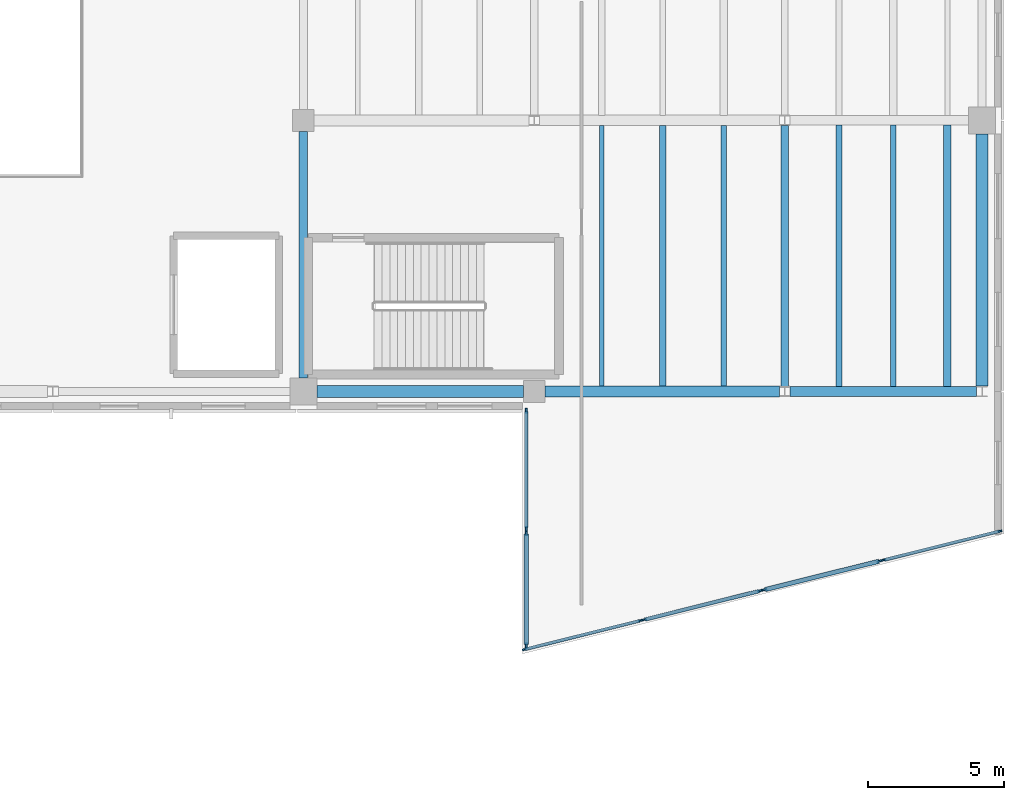
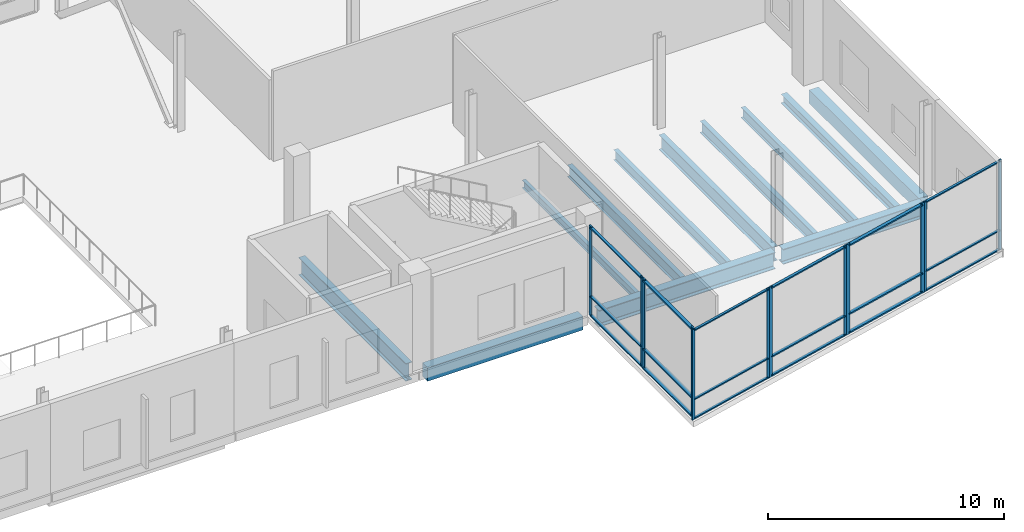
# One storey, part 42 of 81: 30 members, 12 beams, 6 elements without a shape of their own.
"""IFC4 building model written with IfcOpenShell, lengths in metres."""

from ifc_helpers import new_model, si_unit, direction, frame, origin, origin_2d, place, context, subcontext, project, spatial, rectangle, i_section, extrude, material, material_profile, profile_set, type_object, element, aggregate, save


model = new_model("IFC4")

# Units and contexts
model_context = context("Model", 3, precision=1e-05, world=origin(), true_north=direction((0.0, 1.0)))
body_context = subcontext(model_context, "Body", "Model", "MODEL_VIEW")
ifc_project = project(units=[si_unit("LENGTHUNIT", "METRE"), si_unit("AREAUNIT", "SQUARE_METRE"), si_unit("VOLUMEUNIT", "CUBIC_METRE"), si_unit("PLANEANGLEUNIT", "RADIAN"), si_unit("MASSUNIT", "GRAM", prefix="KILO")], contexts=[model_context])

# Site, building, storey
site_placement = place(None, origin())
site = spatial("IfcSite", under=ifc_project, at=site_placement, CompositionType="ELEMENT")
building_placement = place(site_placement, origin())
building = spatial("IfcBuilding", under=site, at=building_placement, Name="Trimount Lyric Opera House", CompositionType="ELEMENT")
storey_placement = place(building_placement, frame((0.0, 0.0, 5.0)))
storey = spatial("IfcBuildingStorey", under=building, at=storey_placement, Name="L01", CompositionType="ELEMENT", Elevation=5.0)

# Beams
ifc_material_1 = material(Name="Steel ASTM A992 Grade 50", Category="steel")
ifc_material_profile_1 = material_profile(ifc_material_1, i_section(OverallWidth=0.304931640625, OverallDepth=0.9189453125, WebThickness=0.017333984375, FlangeThickness=0.02783203125, FilletRadius=0.02001953125, at=origin_2d()), Name="W36X170")
ifc_profile_set_1 = profile_set([ifc_material_profile_1], Name="Steel ASTM A992 Grade 50")
beam_type_1 = type_object("IfcBeamType", Name="B-03", PredefinedType="BEAM", material=ifc_profile_set_1)
beam_1_placement = place(storey_placement, frame((148.239990234375, 44.5, -0.739501953125), z_axis=(0.0, 1.0, 0.0), x_axis=(-1.0, 0.0, 0.0)))
element("IfcBeam", 1, at=beam_1_placement, inside=storey, type_object=beam_type_1, Name="L01 girder Y-0683", PredefinedType="BEAM", context=body_context, shape_type="SweptSolid", body=[
    extrude(i_section(OverallWidth=0.304931640625, OverallDepth=0.9189453125, WebThickness=0.017333984375, FlangeThickness=0.02783203125, FilletRadius=0.02001953125, at=origin_2d()), origin(), (0.0, 0.0, 1.0), 9.10009765625),
])
ifc_material_2 = material(Name="Steel ASTM A992 Grade 50", Category="steel")
ifc_material_profile_2 = material_profile(ifc_material_2, i_section(OverallWidth=0.40087890625, OverallDepth=0.861083984375, WebThickness=0.019775390625, FlangeThickness=0.032470703125, FilletRadius=0.02001953125, at=origin_2d()), Name="W33X221")
ifc_profile_set_2 = profile_set([ifc_material_profile_2], Name="Steel ASTM A992 Grade 50")
beam_type_2 = type_object("IfcBeamType", Name="B-04", PredefinedType="BEAM", material=ifc_profile_set_2)
beam_2_placement = place(storey_placement, frame((157.159912109375, 44.0, -0.71044921875), z_axis=(1.0, 0.0, 0.0), x_axis=(0.0, 1.0, 0.0)))
element("IfcBeam", 2, at=beam_2_placement, inside=storey, type_object=beam_type_2, Name="L01 girder X-0489", PredefinedType="BEAM", context=body_context, shape_type="SweptSolid", body=[
    extrude(i_section(OverallWidth=0.40087890625, OverallDepth=0.861083984375, WebThickness=0.019775390625, FlangeThickness=0.032470703125, FilletRadius=0.02001953125, at=origin_2d()), origin(), (0.0, 0.0, 1.0), 8.653564453125),
])
ifc_material_3 = material(Name="Steel ASTM A992 Grade 50", Category="steel")
ifc_material_profile_3 = material_profile(ifc_material_3, i_section(OverallWidth=0.382080078125, OverallDepth=0.779052734375, WebThickness=0.01806640625, FlangeThickness=0.0302734375, FilletRadius=0.01904296875, at=origin_2d()), Name="W30X191")
ifc_profile_set_3 = profile_set([ifc_material_profile_3], Name="Steel ASTM A992 Grade 50")
beam_type_3 = type_object("IfcBeamType", Name="B-06", PredefinedType="BEAM", material=ifc_profile_set_3)
beam_3_placement = place(storey_placement, frame((166.1865234375, 44.0, -0.66943359375), z_axis=(1.0, 0.0, 0.0), x_axis=(0.0, 1.0, 0.0)))
element("IfcBeam", 3, at=beam_3_placement, inside=storey, type_object=beam_type_3, Name="L01 girder X-0490", PredefinedType="BEAM", context=body_context, shape_type="SweptSolid", body=[
    extrude(i_section(OverallWidth=0.382080078125, OverallDepth=0.779052734375, WebThickness=0.01806640625, FlangeThickness=0.0302734375, FilletRadius=0.01904296875, at=origin_2d()), origin(), (0.0, 0.0, 1.0), 6.89404296875),
])
ifc_material_4 = material(Name="Steel ASTM A992 Grade 50", Category="steel")
ifc_material_profile_4 = material_profile(ifc_material_4, i_section(OverallWidth=0.26708984375, OverallDepth=0.761962890625, WebThickness=0.014404296875, FlangeThickness=0.021484375, FilletRadius=0.01708984375, at=origin_2d()), Name="W30X116")
ifc_profile_set_4 = profile_set([ifc_material_profile_4], Name="Steel ASTM A992 Grade 50")
beam_type_4 = type_object("IfcBeamType", Name="B-07", PredefinedType="BEAM", material=ifc_profile_set_4)
beam_4_placement = place(storey_placement, frame((166.0, 44.18408203125, -0.660888671875), z_axis=(0.0, 1.0, 0.0), x_axis=(-1.0, 0.0, 0.0)))
element("IfcBeam", 4, at=beam_4_placement, inside=storey, type_object=beam_type_4, Name="L01 girder Y-0698", PredefinedType="BEAM", context=body_context, shape_type="SweptSolid", body=[
    extrude(i_section(OverallWidth=0.26708984375, OverallDepth=0.761962890625, WebThickness=0.014404296875, FlangeThickness=0.021484375, FilletRadius=0.01708984375, at=origin_2d()), origin(), (0.0, 0.0, 1.0), 9.622802734375),
])
ifc_material_5 = material(Name="Steel ASTM A992 Grade 50", Category="steel")
ifc_material_profile_5 = material_profile(ifc_material_5, i_section(OverallWidth=0.22802734375, OverallDepth=0.60205078125, WebThickness=0.010498046875, FlangeThickness=0.014892578125, FilletRadius=0.012939453125, at=origin_2d()), Name="W24X68")
ifc_profile_set_5 = profile_set([ifc_material_profile_5], Name="Steel ASTM A992 Grade 50")
beam_type_5 = type_object("IfcBeamType", Name="J-01", PredefinedType="BEAM", material=ifc_profile_set_5)
beam_5_placement = place(storey_placement, frame((161.5, 44.196533203125, -0.5810546875), z_axis=(0.0, 1.0, 0.0), x_axis=(-1.0, 0.0, 0.0)))
element("IfcBeam", 5, at=beam_5_placement, inside=storey, type_object=beam_type_5, Name="L01 composite floor joist 0756", PredefinedType="BEAM", context=body_context, shape_type="SweptSolid", body=[
    extrude(i_section(OverallWidth=0.22802734375, OverallDepth=0.60205078125, WebThickness=0.010498046875, FlangeThickness=0.014892578125, FilletRadius=0.012939453125, at=origin_2d()), origin(), (0.0, 0.0, 1.0), 9.616455078125),
])
beam_6_placement = place(storey_placement, frame((168.0, 44.18701171875, -0.5810546875), z_axis=(0.0, 1.0, 0.0), x_axis=(-1.0, 0.0, 0.0)))
element("IfcBeam", 6, at=beam_6_placement, inside=storey, type_object=beam_type_5, Name="L01 composite floor joist 0779", PredefinedType="BEAM", context=body_context, shape_type="SweptSolid", body=[
    extrude(i_section(OverallWidth=0.22802734375, OverallDepth=0.60205078125, WebThickness=0.010498046875, FlangeThickness=0.014892578125, FilletRadius=0.012939453125, at=origin_2d()), origin(), (0.0, 0.0, 1.0), 9.638916015625),
])
ifc_material_6 = material(Name="Steel ASTM A992 Grade 50", Category="steel")
ifc_material_profile_6 = material_profile(ifc_material_6, i_section(OverallWidth=0.2099609375, OverallDepth=0.532958984375, WebThickness=0.01025390625, FlangeThickness=0.015625, FilletRadius=0.012939453125, at=origin_2d()), Name="W21X62")
ifc_profile_set_6 = profile_set([ifc_material_profile_6], Name="Steel ASTM A992 Grade 50")
beam_type_6 = type_object("IfcBeamType", Name="J-02", PredefinedType="BEAM", material=ifc_profile_set_6)
beam_7_placement = place(storey_placement, frame((163.75, 44.196533203125, -0.54638671875), z_axis=(0.0, 1.0, 0.0), x_axis=(-1.0, 0.0, 0.0)))
element("IfcBeam", 7, at=beam_7_placement, inside=storey, type_object=beam_type_6, Name="L01 composite floor joist 0757", PredefinedType="BEAM", context=body_context, shape_type="SweptSolid", body=[
    extrude(i_section(OverallWidth=0.2099609375, OverallDepth=0.532958984375, WebThickness=0.01025390625, FlangeThickness=0.015625, FilletRadius=0.012939453125, at=origin_2d()), origin(), (0.0, 0.0, 1.0), 9.616455078125),
])
beam_8_placement = place(storey_placement, frame((170.0, 44.18701171875, -0.54638671875), z_axis=(0.0, 1.0, 0.0), x_axis=(-1.0, 0.0, 0.0)))
element("IfcBeam", 8, at=beam_8_placement, inside=storey, type_object=beam_type_6, Name="L01 composite floor joist 0780", PredefinedType="BEAM", context=body_context, shape_type="SweptSolid", body=[
    extrude(i_section(OverallWidth=0.2099609375, OverallDepth=0.532958984375, WebThickness=0.01025390625, FlangeThickness=0.015625, FilletRadius=0.012939453125, at=origin_2d()), origin(), (0.0, 0.0, 1.0), 9.638916015625),
])
ifc_material_7 = material(Name="Steel ASTM A992 Grade 50", Category="steel")
ifc_material_profile_7 = material_profile(ifc_material_7, i_section(OverallWidth=0.281982421875, OverallDepth=0.467041015625, WebThickness=0.01220703125, FlangeThickness=0.01953125, FilletRadius=0.012939453125, at=origin_2d()), Name="W18X86")
ifc_profile_set_7 = profile_set([ifc_material_profile_7], Name="Steel ASTM A992 Grade 50")
beam_type_7 = type_object("IfcBeamType", Name="J-03", PredefinedType="BEAM", material=ifc_profile_set_7)
beam_9_placement = place(storey_placement, frame((172.0, 44.18701171875, -0.513427734375), z_axis=(0.0, 1.0, 0.0), x_axis=(-1.0, 0.0, 0.0)))
element("IfcBeam", 9, at=beam_9_placement, inside=storey, type_object=beam_type_7, Name="L01 composite floor joist 0781", PredefinedType="BEAM", context=body_context, shape_type="SweptSolid", body=[
    extrude(i_section(OverallWidth=0.281982421875, OverallDepth=0.467041015625, WebThickness=0.01220703125, FlangeThickness=0.01953125, FilletRadius=0.012939453125, at=origin_2d()), origin(), (0.0, 0.0, 1.0), 9.638916015625),
])
ifc_material_8 = material(Name="Steel ASTM A992 Grade 50", Category="steel")
ifc_material_profile_8 = material_profile(ifc_material_8, i_section(OverallWidth=0.177978515625, OverallDepth=0.404052734375, WebThickness=0.007568359375, FlangeThickness=0.010986328125, FilletRadius=0.010009765625, at=origin_2d()), Name="W16X36")
ifc_profile_set_8 = profile_set([ifc_material_profile_8], Name="Steel ASTM A992 Grade 50")
beam_type_8 = type_object("IfcBeamType", Name="J-06", PredefinedType="BEAM", material=ifc_profile_set_8)
beam_10_placement = place(storey_placement, frame((159.25, 44.196533203125, -0.48193359375), z_axis=(0.0, 1.0, 0.0), x_axis=(-1.0, 0.0, 0.0)))
element("IfcBeam", 10, at=beam_10_placement, inside=storey, type_object=beam_type_8, Name="L01 composite floor joist 0755", PredefinedType="BEAM", context=body_context, shape_type="SweptSolid", body=[
    extrude(i_section(OverallWidth=0.177978515625, OverallDepth=0.404052734375, WebThickness=0.007568359375, FlangeThickness=0.010986328125, FilletRadius=0.010009765625, at=origin_2d()), origin(), (0.0, 0.0, 1.0), 9.616455078125),
])

# Curtain wall, members
ifc_material_9 = material(Name="Thermally Broken Aluminium and Low-E Glass", Category="aluminium")
curtain_wall_type = type_object("IfcCurtainWallType", Name="CW-04", PredefinedType="NOTDEFINED", material=ifc_material_9)
curtain_wall_1_placement = place(storey_placement, origin())
curtain_wall_1 = element("IfcCurtainWall", 11, at=curtain_wall_1_placement, inside=storey, type_object=curtain_wall_type, Name="L01 curtain wall 084", PredefinedType="NOTDEFINED")
ifc_material_10 = material(Name="Anodised Aluminium 6063-T6", Category="aluminium")
ifc_material_profile_9 = material_profile(ifc_material_10, rectangle(XDim=0.070068359375, YDim=0.219970703125, at=origin_2d()), Name="ALU-MULL-70X220")
ifc_profile_set_9 = profile_set([ifc_material_profile_9], Name="Anodised Aluminium 6063-T6")
member_type_1 = type_object("IfcMemberType", Name="ML-01", PredefinedType="MULLION", material=ifc_profile_set_9)
member_1_placement = place(storey_placement, frame((169.5029296875, 37.74462890625, 0.0), z_axis=(0.0, 0.0, 1.0), x_axis=(0.241428841545, -0.970418525416, 0.0)))
member_1 = element("IfcMember", 12, at=member_1_placement, type_object=member_type_1, Name="CW-04 mullion 1", PredefinedType="MULLION", context=body_context, shape_type="SweptSolid", body=[
    extrude(rectangle(XDim=0.070068359375, YDim=0.219970703125, at=origin_2d()), origin(), (0.0, 0.0, 1.0), 4.679931640625),
])
member_2_placement = place(storey_placement, frame((165.238037109375, 36.683349609375, 0.0), z_axis=(0.0, 0.0, 1.0), x_axis=(0.241428841545, -0.970418525416, 0.0)))
member_2 = element("IfcMember", 13, at=member_2_placement, type_object=member_type_1, Name="CW-04 mullion 2", PredefinedType="MULLION", context=body_context, shape_type="SweptSolid", body=[
    extrude(rectangle(XDim=0.070068359375, YDim=0.219970703125, at=origin_2d()), origin(), (0.0, 0.0, 1.0), 4.679931640625),
])

curtain_wall_2_placement = place(storey_placement, origin())
curtain_wall_2 = element("IfcCurtainWall", 14, at=curtain_wall_2_placement, inside=storey, type_object=curtain_wall_type, Name="L01 curtain wall 087", PredefinedType="NOTDEFINED")
member_3_placement = place(storey_placement, frame((156.4599609375, 34.626953125, 0.0), z_axis=(0.0, 0.0, 1.0), x_axis=(-1.0, 0.0, 0.0)))
member_3 = element("IfcMember", 15, at=member_3_placement, type_object=member_type_1, Name="CW-04 mullion 1", PredefinedType="MULLION", context=body_context, shape_type="SweptSolid", body=[
    extrude(rectangle(XDim=0.070068359375, YDim=0.219970703125, at=origin_2d()), origin(), (0.0, 0.0, 1.0), 4.679931640625),
])
member_4_placement = place(storey_placement, frame((156.4599609375, 38.784912109375, 0.0), z_axis=(0.0, 0.0, 1.0), x_axis=(-1.0, 0.0, 0.0)))
member_4 = element("IfcMember", 16, at=member_4_placement, type_object=member_type_1, Name="CW-04 mullion 2", PredefinedType="MULLION", context=body_context, shape_type="SweptSolid", body=[
    extrude(rectangle(XDim=0.070068359375, YDim=0.219970703125, at=origin_2d()), origin(), (0.0, 0.0, 1.0), 4.679931640625),
])

curtain_wall_3_placement = place(storey_placement, origin())
curtain_wall_3 = element("IfcCurtainWall", 17, at=curtain_wall_3_placement, inside=storey, type_object=curtain_wall_type, Name="L01 curtain wall 085", PredefinedType="NOTDEFINED")
ifc_material_11 = material(Name="Anodised Aluminium 6063-T6", Category="aluminium")
ifc_material_profile_10 = material_profile(ifc_material_11, rectangle(XDim=0.06494140625, YDim=0.179931640625, at=origin_2d()), Name="ALU-MULL-65X180")
ifc_profile_set_10 = profile_set([ifc_material_profile_10], Name="Anodised Aluminium 6063-T6")
member_type_2 = type_object("IfcMemberType", Name="ML-02", PredefinedType="MULLION", material=ifc_profile_set_10)
member_5_placement = place(storey_placement, frame((165.08544921875, 36.645263671875, 0.0), z_axis=(0.0, 0.0, 1.0), x_axis=(0.241428841545, -0.970418525416, 0.0)))
member_5 = element("IfcMember", 18, at=member_5_placement, type_object=member_type_2, Name="CW-04 mullion 1", PredefinedType="MULLION", context=body_context, shape_type="SweptSolid", body=[
    extrude(rectangle(XDim=0.06494140625, YDim=0.179931640625, at=origin_2d()), origin(), (0.0, 0.0, 1.0), 4.679931640625),
])
member_6_placement = place(storey_placement, frame((160.8154296875, 35.582763671875, 0.0), z_axis=(0.0, 0.0, 1.0), x_axis=(0.241428841545, -0.970418525416, 0.0)))
member_6 = element("IfcMember", 19, at=member_6_placement, type_object=member_type_2, Name="CW-04 mullion 2", PredefinedType="MULLION", context=body_context, shape_type="SweptSolid", body=[
    extrude(rectangle(XDim=0.06494140625, YDim=0.179931640625, at=origin_2d()), origin(), (0.0, 0.0, 1.0), 4.679931640625),
])

curtain_wall_4_placement = place(storey_placement, origin())
curtain_wall_4 = element("IfcCurtainWall", 20, at=curtain_wall_4_placement, inside=storey, type_object=curtain_wall_type, Name="L01 curtain wall 088", PredefinedType="NOTDEFINED")
member_7_placement = place(storey_placement, frame((156.4599609375, 38.9423828125, 0.0), z_axis=(0.0, 0.0, 1.0), x_axis=(-1.0, 0.0, 0.0)))
member_7 = element("IfcMember", 21, at=member_7_placement, type_object=member_type_2, Name="CW-04 mullion 1", PredefinedType="MULLION", context=body_context, shape_type="SweptSolid", body=[
    extrude(rectangle(XDim=0.06494140625, YDim=0.179931640625, at=origin_2d()), origin(), (0.0, 0.0, 1.0), 4.679931640625),
])
member_8_placement = place(storey_placement, frame((156.4599609375, 43.28759765625, 0.0), z_axis=(0.0, 0.0, 1.0), x_axis=(-1.0, 0.0, 0.0)))
member_8 = element("IfcMember", 22, at=member_8_placement, type_object=member_type_2, Name="CW-04 mullion 2", PredefinedType="MULLION", context=body_context, shape_type="SweptSolid", body=[
    extrude(rectangle(XDim=0.06494140625, YDim=0.179931640625, at=origin_2d()), origin(), (0.0, 0.0, 1.0), 4.679931640625),
])

curtain_wall_5_placement = place(storey_placement, origin())
curtain_wall_5 = element("IfcCurtainWall", 23, at=curtain_wall_5_placement, inside=storey, type_object=curtain_wall_type, Name="L01 curtain wall 083", PredefinedType="NOTDEFINED")
ifc_material_12 = material(Name="Anodised Aluminium 6063-T6", Category="aluminium")
ifc_material_profile_11 = material_profile(ifc_material_12, rectangle(XDim=0.06005859375, YDim=0.14990234375, at=origin_2d()), Name="ALU-MULL-60X150")
ifc_profile_set_11 = profile_set([ifc_material_profile_11], Name="Anodised Aluminium 6063-T6")
member_type_3 = type_object("IfcMemberType", Name="ML-03", PredefinedType="MULLION", material=ifc_profile_set_11)
member_9_placement = place(storey_placement, frame((173.936767578125, 38.8486328125, 0.0), z_axis=(0.0, 0.0, 1.0), x_axis=(0.241588978254, -0.970378671234, 0.0)))
member_9 = element("IfcMember", 24, at=member_9_placement, type_object=member_type_3, Name="CW-04 mullion 1", PredefinedType="MULLION", context=body_context, shape_type="SweptSolid", body=[
    extrude(rectangle(XDim=0.06005859375, YDim=0.14990234375, at=origin_2d()), origin(), (0.0, 0.0, 1.0), 4.679931640625),
])
member_10_placement = place(storey_placement, frame((169.653076171875, 37.7822265625, 0.0), z_axis=(0.0, 0.0, 1.0), x_axis=(0.241588978254, -0.970378671234, 0.0)))
member_10 = element("IfcMember", 25, at=member_10_placement, type_object=member_type_3, Name="CW-04 mullion 2", PredefinedType="MULLION", context=body_context, shape_type="SweptSolid", body=[
    extrude(rectangle(XDim=0.06005859375, YDim=0.14990234375, at=origin_2d()), origin(), (0.0, 0.0, 1.0), 4.679931640625),
])

curtain_wall_6_placement = place(storey_placement, origin())
curtain_wall_6 = element("IfcCurtainWall", 26, at=curtain_wall_6_placement, inside=storey, type_object=curtain_wall_type, Name="L01 curtain wall 086", PredefinedType="NOTDEFINED")
member_11_placement = place(storey_placement, frame((160.66796875, 35.545654296875, 0.0), z_axis=(0.0, 0.0, 1.0), x_axis=(0.241428841545, -0.970418525416, 0.0)))
member_11 = element("IfcMember", 27, at=member_11_placement, type_object=member_type_3, Name="CW-04 mullion 1", PredefinedType="MULLION", context=body_context, shape_type="SweptSolid", body=[
    extrude(rectangle(XDim=0.06005859375, YDim=0.14990234375, at=origin_2d()), origin(), (0.0, 0.0, 1.0), 4.679931640625),
])
member_12_placement = place(storey_placement, frame((156.39306640625, 34.482177734375, 0.0), z_axis=(0.0, 0.0, 1.0), x_axis=(0.241428841545, -0.970418525416, 0.0)))
member_12 = element("IfcMember", 28, at=member_12_placement, type_object=member_type_3, Name="CW-04 mullion 2", PredefinedType="MULLION", context=body_context, shape_type="SweptSolid", body=[
    extrude(rectangle(XDim=0.06005859375, YDim=0.14990234375, at=origin_2d()), origin(), (0.0, 0.0, 1.0), 4.679931640625),
])

# Beams
ifc_material_13 = material(Name="Concrete C40/50", Category="concrete")
ifc_material_profile_12 = material_profile(ifc_material_13, rectangle(XDim=0.449951171875, YDim=0.699951171875, at=origin_2d()), Name="RC450X700")
ifc_profile_set_12 = profile_set([ifc_material_profile_12], Name="Concrete C40/50")
beam_type_9 = type_object("IfcBeamType", Name="SP-02", PredefinedType="SPANDREL", material=ifc_profile_set_12)
beam_11_placement = place(storey_placement, frame((148.739990234375, 44.0, -0.6298828125), z_axis=(1.0, 0.0, 0.0), x_axis=(0.0, 1.0, 0.0)))
element("IfcBeam", 29, at=beam_11_placement, inside=storey, type_object=beam_type_9, Name="L01 girder X-0488", PredefinedType="SPANDREL", context=body_context, shape_type="SweptSolid", body=[
    extrude(rectangle(XDim=0.449951171875, YDim=0.699951171875, at=origin_2d()), origin(), (0.0, 0.0, 1.0), 7.6201171875),
])
beam_12_placement = place(storey_placement, frame((173.280029296875, 44.193115234375, -0.6298828125), z_axis=(0.0, 1.0, 0.0), x_axis=(-1.0, 0.0, 0.0)))
element("IfcBeam", 30, at=beam_12_placement, inside=storey, type_object=beam_type_9, Name="L01 girder Y-0706", PredefinedType="SPANDREL", context=body_context, shape_type="SweptSolid", body=[
    extrude(rectangle(XDim=0.449951171875, YDim=0.699951171875, at=origin_2d()), origin(), (0.0, 0.0, 1.0), 9.306884765625),
])

# Member
ifc_material_14 = material(Name="Anodised Aluminium 6063-T6", Category="aluminium")
ifc_material_profile_13 = material_profile(ifc_material_14, rectangle(XDim=0.159912109375, YDim=0.070068359375, at=origin_2d()), Name="ALU-TRAN-70X160")
ifc_profile_set_13 = profile_set([ifc_material_profile_13], Name="Anodised Aluminium 6063-T6")
member_type_4 = type_object("IfcMemberType", Name="TR-01", PredefinedType="USERDEFINED", material=ifc_profile_set_13)
member_13_placement = place(storey_placement, frame((169.468994140625, 37.736083984375, 0.080078125), z_axis=(-0.970417478493, -0.241433049591, 0.0), x_axis=(0.241433049591, -0.970417478493, 0.0)))
member_13 = element("IfcMember", 31, at=member_13_placement, type_object=member_type_4, Name="CW-04 transom 1.1", ObjectType="TRANSOM", PredefinedType="USERDEFINED", context=body_context, shape_type="SweptSolid", body=[
    extrude(rectangle(XDim=0.159912109375, YDim=0.070068359375, at=origin_2d()), origin(), (0.0, 0.0, 1.0), 4.324951171875),
])

member_14_placement = place(storey_placement, frame((169.468994140625, 37.736083984375, 1.050048828125), z_axis=(-0.970417478493, -0.241433049591, 0.0), x_axis=(0.241433049591, -0.970417478493, 0.0)))
member_14 = element("IfcMember", 32, at=member_14_placement, type_object=member_type_4, Name="CW-04 transom 1.2", ObjectType="TRANSOM", PredefinedType="USERDEFINED", context=body_context, shape_type="SweptSolid", body=[
    extrude(rectangle(XDim=0.159912109375, YDim=0.070068359375, at=origin_2d()), origin(), (0.0, 0.0, 1.0), 4.324951171875),
])

member_15_placement = place(storey_placement, frame((169.468994140625, 37.736083984375, 4.60009765625), z_axis=(-0.970417478493, -0.241433049591, 0.0), x_axis=(0.241433049591, -0.970417478493, 0.0)))
member_15 = element("IfcMember", 33, at=member_15_placement, type_object=member_type_4, Name="CW-04 transom 1.3", ObjectType="TRANSOM", PredefinedType="USERDEFINED", context=body_context, shape_type="SweptSolid", body=[
    extrude(rectangle(XDim=0.159912109375, YDim=0.070068359375, at=origin_2d()), origin(), (0.0, 0.0, 1.0), 4.324951171875),
])

aggregate(curtain_wall_1, [member_1, member_2, member_13, member_14, member_15])

member_16_placement = place(storey_placement, frame((156.4599609375, 34.662109375, 0.080078125), z_axis=(0.0, 1.0, 0.0), x_axis=(-1.0, 0.0, 0.0)))
member_16 = element("IfcMember", 34, at=member_16_placement, type_object=member_type_4, Name="CW-04 transom 1.1", ObjectType="TRANSOM", PredefinedType="USERDEFINED", context=body_context, shape_type="SweptSolid", body=[
    extrude(rectangle(XDim=0.159912109375, YDim=0.070068359375, at=origin_2d()), origin(), (0.0, 0.0, 1.0), 4.087890625),
])

member_17_placement = place(storey_placement, frame((156.4599609375, 34.662109375, 1.050048828125), z_axis=(0.0, 1.0, 0.0), x_axis=(-1.0, 0.0, 0.0)))
member_17 = element("IfcMember", 35, at=member_17_placement, type_object=member_type_4, Name="CW-04 transom 1.2", ObjectType="TRANSOM", PredefinedType="USERDEFINED", context=body_context, shape_type="SweptSolid", body=[
    extrude(rectangle(XDim=0.159912109375, YDim=0.070068359375, at=origin_2d()), origin(), (0.0, 0.0, 1.0), 4.087890625),
])

member_18_placement = place(storey_placement, frame((156.4599609375, 34.662109375, 4.60009765625), z_axis=(0.0, 1.0, 0.0), x_axis=(-1.0, 0.0, 0.0)))
member_18 = element("IfcMember", 36, at=member_18_placement, type_object=member_type_4, Name="CW-04 transom 1.3", ObjectType="TRANSOM", PredefinedType="USERDEFINED", context=body_context, shape_type="SweptSolid", body=[
    extrude(rectangle(XDim=0.159912109375, YDim=0.070068359375, at=origin_2d()), origin(), (0.0, 0.0, 1.0), 4.087890625),
])

aggregate(curtain_wall_2, [member_3, member_4, member_16, member_17, member_18])

ifc_material_15 = material(Name="Anodised Aluminium 6063-T6", Category="aluminium")
ifc_material_profile_14 = material_profile(ifc_material_15, rectangle(XDim=0.135009765625, YDim=0.06494140625, at=origin_2d()), Name="ALU-TRAN-65X135")
ifc_profile_set_14 = profile_set([ifc_material_profile_14], Name="Anodised Aluminium 6063-T6")
member_type_5 = type_object("IfcMemberType", Name="TR-02", PredefinedType="USERDEFINED", material=ifc_profile_set_14)
member_19_placement = place(storey_placement, frame((165.053955078125, 36.63720703125, 0.0673828125), z_axis=(-0.97041684143, -0.241435610192, 0.0), x_axis=(0.241435610192, -0.97041684143, 0.0)))
member_19 = element("IfcMember", 37, at=member_19_placement, type_object=member_type_5, Name="CW-04 transom 1.1", ObjectType="TRANSOM", PredefinedType="USERDEFINED", context=body_context, shape_type="SweptSolid", body=[
    extrude(rectangle(XDim=0.135009765625, YDim=0.06494140625, at=origin_2d()), origin(), (0.0, 0.0, 1.0), 4.3349609375),
])

member_20_placement = place(storey_placement, frame((165.053955078125, 36.63720703125, 1.050048828125), z_axis=(-0.97041684143, -0.241435610192, 0.0), x_axis=(0.241435610192, -0.97041684143, 0.0)))
member_20 = element("IfcMember", 38, at=member_20_placement, type_object=member_type_5, Name="CW-04 transom 1.2", ObjectType="TRANSOM", PredefinedType="USERDEFINED", context=body_context, shape_type="SweptSolid", body=[
    extrude(rectangle(XDim=0.135009765625, YDim=0.06494140625, at=origin_2d()), origin(), (0.0, 0.0, 1.0), 4.3349609375),
])

member_21_placement = place(storey_placement, frame((165.053955078125, 36.63720703125, 4.612548828125), z_axis=(-0.97041684143, -0.241435610192, 0.0), x_axis=(0.241435610192, -0.97041684143, 0.0)))
member_21 = element("IfcMember", 39, at=member_21_placement, type_object=member_type_5, Name="CW-04 transom 1.3", ObjectType="TRANSOM", PredefinedType="USERDEFINED", context=body_context, shape_type="SweptSolid", body=[
    extrude(rectangle(XDim=0.135009765625, YDim=0.06494140625, at=origin_2d()), origin(), (0.0, 0.0, 1.0), 4.3349609375),
])

aggregate(curtain_wall_3, [member_5, member_6, member_19, member_20, member_21])

member_22_placement = place(storey_placement, frame((156.4599609375, 38.97509765625, 0.0673828125), z_axis=(0.0, 1.0, 0.0), x_axis=(-1.0, 0.0, 0.0)))
member_22 = element("IfcMember", 40, at=member_22_placement, type_object=member_type_5, Name="CW-04 transom 1.1", ObjectType="TRANSOM", PredefinedType="USERDEFINED", context=body_context, shape_type="SweptSolid", body=[
    extrude(rectangle(XDim=0.135009765625, YDim=0.06494140625, at=origin_2d()), origin(), (0.0, 0.0, 1.0), 4.27978515625),
])

member_23_placement = place(storey_placement, frame((156.4599609375, 38.97509765625, 1.050048828125), z_axis=(0.0, 1.0, 0.0), x_axis=(-1.0, 0.0, 0.0)))
member_23 = element("IfcMember", 41, at=member_23_placement, type_object=member_type_5, Name="CW-04 transom 1.2", ObjectType="TRANSOM", PredefinedType="USERDEFINED", context=body_context, shape_type="SweptSolid", body=[
    extrude(rectangle(XDim=0.135009765625, YDim=0.06494140625, at=origin_2d()), origin(), (0.0, 0.0, 1.0), 4.27978515625),
])

member_24_placement = place(storey_placement, frame((156.4599609375, 38.97509765625, 4.612548828125), z_axis=(0.0, 1.0, 0.0), x_axis=(-1.0, 0.0, 0.0)))
member_24 = element("IfcMember", 42, at=member_24_placement, type_object=member_type_5, Name="CW-04 transom 1.3", ObjectType="TRANSOM", PredefinedType="USERDEFINED", context=body_context, shape_type="SweptSolid", body=[
    extrude(rectangle(XDim=0.135009765625, YDim=0.06494140625, at=origin_2d()), origin(), (0.0, 0.0, 1.0), 4.27978515625),
])

aggregate(curtain_wall_4, [member_7, member_8, member_22, member_23, member_24])

ifc_material_16 = material(Name="Anodised Aluminium 6063-T6", Category="aluminium")
ifc_material_profile_15 = material_profile(ifc_material_16, rectangle(XDim=0.114990234375, YDim=0.06005859375, at=origin_2d()), Name="ALU-TRAN-60X115")
ifc_profile_set_15 = profile_set([ifc_material_profile_15], Name="Anodised Aluminium 6063-T6")
member_type_6 = type_object("IfcMemberType", Name="TR-03", PredefinedType="USERDEFINED", material=ifc_profile_set_15)
member_25_placement = place(storey_placement, frame((173.90771484375, 38.841552734375, 0.0576171875), z_axis=(-0.970379488538, -0.241585695407, 0.0), x_axis=(0.241585695407, -0.970379488538, 0.0)))
member_25 = element("IfcMember", 43, at=member_25_placement, type_object=member_type_6, Name="CW-04 transom 1.1", ObjectType="TRANSOM", PredefinedType="USERDEFINED", context=body_context, shape_type="SweptSolid", body=[
    extrude(rectangle(XDim=0.114990234375, YDim=0.06005859375, at=origin_2d()), origin(), (0.0, 0.0, 1.0), 4.3544921875),
])

member_26_placement = place(storey_placement, frame((173.90771484375, 38.841552734375, 1.050048828125), z_axis=(-0.970379488538, -0.241585695407, 0.0), x_axis=(0.241585695407, -0.970379488538, 0.0)))
member_26 = element("IfcMember", 44, at=member_26_placement, type_object=member_type_6, Name="CW-04 transom 1.2", ObjectType="TRANSOM", PredefinedType="USERDEFINED", context=body_context, shape_type="SweptSolid", body=[
    extrude(rectangle(XDim=0.114990234375, YDim=0.06005859375, at=origin_2d()), origin(), (0.0, 0.0, 1.0), 4.3544921875),
])

member_27_placement = place(storey_placement, frame((173.90771484375, 38.841552734375, 4.62255859375), z_axis=(-0.970379488538, -0.241585695407, 0.0), x_axis=(0.241585695407, -0.970379488538, 0.0)))
member_27 = element("IfcMember", 45, at=member_27_placement, type_object=member_type_6, Name="CW-04 transom 1.3", ObjectType="TRANSOM", PredefinedType="USERDEFINED", context=body_context, shape_type="SweptSolid", body=[
    extrude(rectangle(XDim=0.114990234375, YDim=0.06005859375, at=origin_2d()), origin(), (0.0, 0.0, 1.0), 4.3544921875),
])

aggregate(curtain_wall_5, [member_9, member_10, member_25, member_26, member_27])

member_28_placement = place(storey_placement, frame((160.638671875, 35.53857421875, 0.0576171875), z_axis=(-0.970416207312, -0.241438158927, 0.0), x_axis=(0.241438158927, -0.970416207312, 0.0)))
member_28 = element("IfcMember", 46, at=member_28_placement, type_object=member_type_6, Name="CW-04 transom 1.1", ObjectType="TRANSOM", PredefinedType="USERDEFINED", context=body_context, shape_type="SweptSolid", body=[
    extrude(rectangle(XDim=0.114990234375, YDim=0.06005859375, at=origin_2d()), origin(), (0.0, 0.0, 1.0), 4.34521484375),
])

member_29_placement = place(storey_placement, frame((160.638671875, 35.53857421875, 1.050048828125), z_axis=(-0.970416207312, -0.241438158927, 0.0), x_axis=(0.241438158927, -0.970416207312, 0.0)))
member_29 = element("IfcMember", 47, at=member_29_placement, type_object=member_type_6, Name="CW-04 transom 1.2", ObjectType="TRANSOM", PredefinedType="USERDEFINED", context=body_context, shape_type="SweptSolid", body=[
    extrude(rectangle(XDim=0.114990234375, YDim=0.06005859375, at=origin_2d()), origin(), (0.0, 0.0, 1.0), 4.34521484375),
])

member_30_placement = place(storey_placement, frame((160.638671875, 35.53857421875, 4.62255859375), z_axis=(-0.970416207312, -0.241438158927, 0.0), x_axis=(0.241438158927, -0.970416207312, 0.0)))
member_30 = element("IfcMember", 48, at=member_30_placement, type_object=member_type_6, Name="CW-04 transom 1.3", ObjectType="TRANSOM", PredefinedType="USERDEFINED", context=body_context, shape_type="SweptSolid", body=[
    extrude(rectangle(XDim=0.114990234375, YDim=0.06005859375, at=origin_2d()), origin(), (0.0, 0.0, 1.0), 4.34521484375),
])

aggregate(curtain_wall_6, [member_11, member_12, member_28, member_29, member_30])

save(model, "model.ifc")
